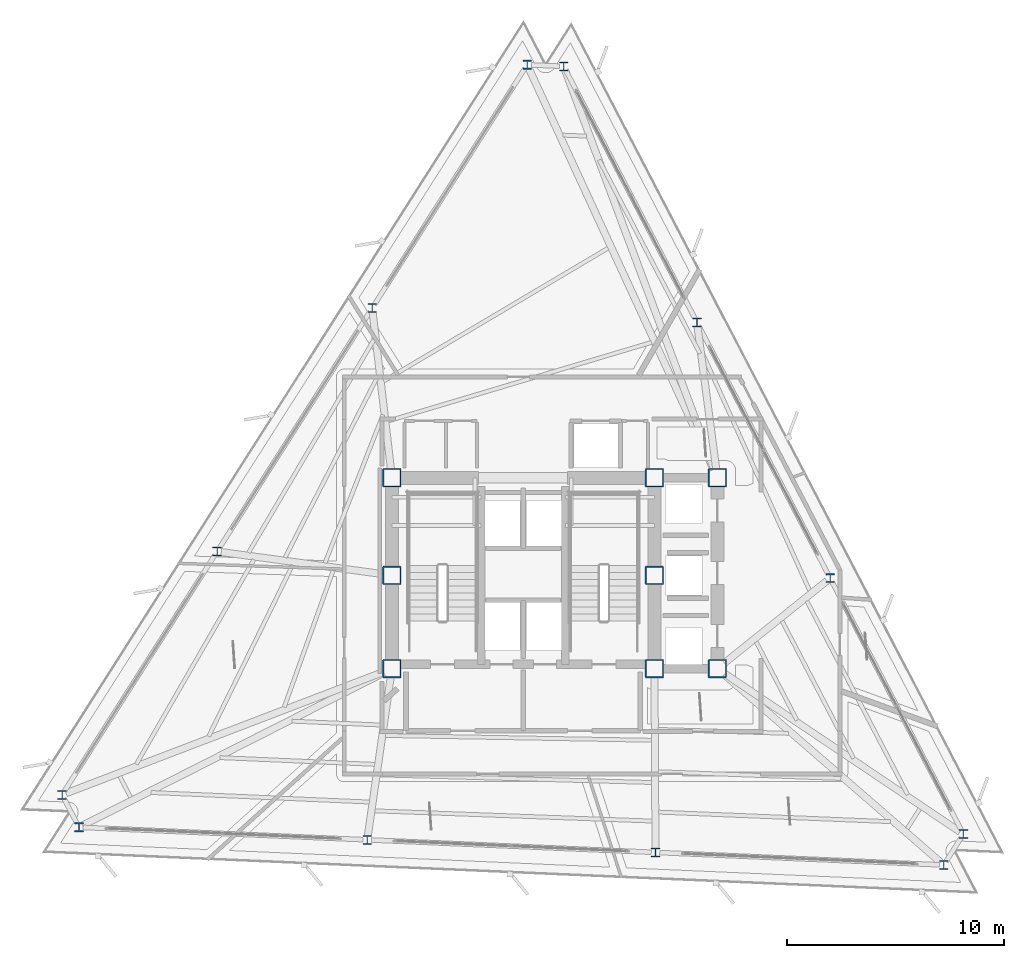
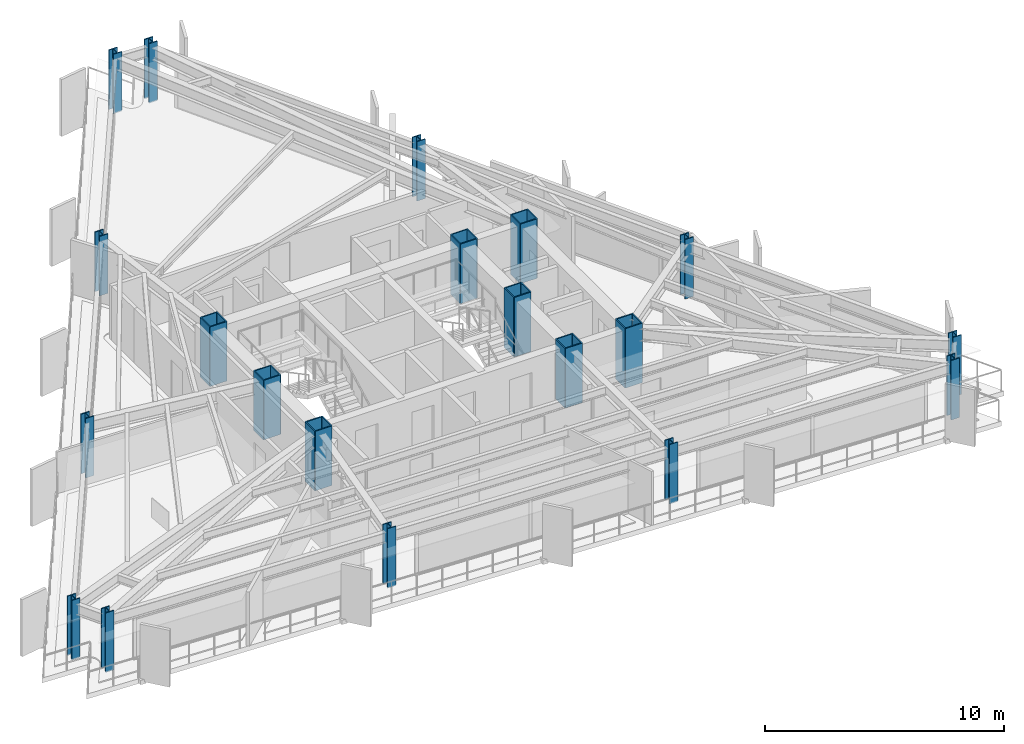
# One storey, part 1 of 12: 20 columns.
"""IFC4 building model written with IfcOpenShell, lengths in metres."""

from ifc_helpers import new_model, si_unit, direction, frame, origin, origin_2d, place, context, subcontext, project, spatial, hollow_rectangle, i_section, extrude, material, material_profile, profile_set, type_object, element, save


model = new_model("IFC4")

# Units and contexts
model_context = context("Model", 3, precision=1e-05, world=origin(), true_north=direction((0.0, 1.0)))
body_context = subcontext(model_context, "Body", "Model", "MODEL_VIEW")
ifc_project = project(units=[si_unit("LENGTHUNIT", "METRE"), si_unit("AREAUNIT", "SQUARE_METRE"), si_unit("VOLUMEUNIT", "CUBIC_METRE"), si_unit("PLANEANGLEUNIT", "RADIAN"), si_unit("MASSUNIT", "GRAM", prefix="KILO")], contexts=[model_context])

# Site, building, storey
site_placement = place(None, origin())
site = spatial("IfcSite", under=ifc_project, at=site_placement, CompositionType="ELEMENT")
building_placement = place(site_placement, origin())
building = spatial("IfcBuilding", under=site, at=building_placement, Name="Rocaltana Carrier Exchange", CompositionType="ELEMENT")
storey_placement = place(building_placement, frame((0.0, 0.0, 135.0400390625)))
storey = spatial("IfcBuildingStorey", under=building, at=storey_placement, Name="L42", CompositionType="ELEMENT", Elevation=135.0400390625)

# Columns
ifc_material_1 = material(Name="Steel S460", Category="steel")
ifc_material_profile_1 = material_profile(ifc_material_1, hollow_rectangle(XDim=0.85009765625, YDim=0.85009765625, WallThickness=0.054931640625, InnerFilletRadius=0.02001953125, OuterFilletRadius=0.0400390625, at=origin_2d()), Name="BOX850X850X55")
ifc_profile_set_1 = profile_set([ifc_material_profile_1], Name="Steel S460")
column_type_1 = type_object("IfcColumnType", Name="Core Mega-Column BOX850", PredefinedType="COLUMN", material=ifc_profile_set_1)
for number, where, z_axis, x_axis, name in (
    (1, (-6.050048828125, 4.5, 0.0), (0.0, 0.0, 1.0), (1.0, 0.0, 0.0), "L42 Core Mega-Column MC1"),
    (2, (6.050048828125, 4.5, 0.0), (0.0, 0.0, 1.0), (1.0, 0.0, 0.0), "L42 Core Mega-Column MC2"),
    (3, (-6.050048828125, 0.0, 0.0), (0.0, 0.0, 1.0), (1.0, 0.0, 0.0), "L42 Core Mega-Column MC3"),
    (4, (6.050048828125, 0.0, 0.0), (0.0, 0.0, 1.0), (1.0, 0.0, 0.0), "L42 Core Mega-Column MC4"),
    (5, (-6.050048828125, -4.300048828125, 0.0), (0.0, 0.0, 1.0), (1.0, 0.0, 0.0), "L42 Core Mega-Column MC5"),
    (6, (6.050048828125, -4.300048828125, 0.0), (0.0, 0.0, 1.0), (1.0, 0.0, 0.0), "L42 Core Mega-Column MC6"),
    (7, (8.949951171875, 4.5, 0.0), (0.0, 0.0, 1.0), (1.0, 0.0, 0.0), "L42 East Core Column EC1"),
    (8, (8.949951171875, -4.300048828125, 0.0), (0.0, 0.0, 1.0), (1.0, 0.0, 0.0), "L42 East Core Column EC2"),
):
    element("IfcColumn", number, at=place(storey_placement, frame(where, z_axis=z_axis, x_axis=x_axis)), inside=storey, type_object=column_type_1, Name=name, PredefinedType="COLUMN", context=body_context, shape_type="SweptSolid", body=[
        extrude(hollow_rectangle(XDim=0.85009765625, YDim=0.85009765625, WallThickness=0.054931640625, InnerFilletRadius=0.02001953125, OuterFilletRadius=0.0400390625, at=origin_2d()), origin(), (0.0, 0.0, 1.0), 3.0400390625),
    ])
ifc_material_2 = material(Name="Steel S355", Category="steel")
ifc_material_profile_2 = material_profile(ifc_material_2, i_section(OverallWidth=0.406005859375, OverallDepth=0.416015625, WebThickness=0.02978515625, FlangeThickness=0.048095703125, FilletRadius=0.02001953125, at=origin_2d()), Name="W14X257")
ifc_profile_set_2 = profile_set([ifc_material_profile_2], Name="Steel S355")
column_type_2 = type_object("IfcColumnType", Name="Perimeter Column W14X257", PredefinedType="COLUMN", material=ifc_profile_set_2)
for number, where, z_axis, x_axis, name in (
    (9, (20.29150390625, -11.92822265625, 0.0), (0.0, 0.0, 1.0), (1.0, 0.0, 0.0), "L42 Perimeter Column TC01"),
    (10, (14.150146484375, -0.130859375, 0.0), (0.0, 0.0, 1.0), (1.0, 0.0, 0.0), "L42 Perimeter Column TC02"),
    (11, (8.009033203125, 11.666259765625, 0.0), (0.0, 0.0, 1.0), (1.0, 0.0, 0.0), "L42 Perimeter Column TC03"),
    (12, (1.86767578125, 23.46337890625, 0.0), (0.0, 0.0, 1.0), (1.0, 0.0, 0.0), "L42 Perimeter Column TC04"),
    (13, (0.184326171875, 23.537109375, 0.0), (0.0, 0.0, 1.0), (1.0, 0.0, 0.0), "L42 Perimeter Column TC05"),
    (14, (-6.961669921875, 12.31982421875, 0.0), (0.0, 0.0, 1.0), (1.0, 0.0, 0.0), "L42 Perimeter Column TC06"),
    (15, (-14.10791015625, 1.102783203125, 0.0), (0.0, 0.0, 1.0), (1.0, 0.0, 0.0), "L42 Perimeter Column TC07"),
    (16, (-21.25390625, -10.1142578125, 0.0), (0.0, 0.0, 1.0), (1.0, 0.0, 0.0), "L42 Perimeter Column TC08"),
    (17, (-20.475830078125, -11.60888671875, 0.0), (0.0, 0.0, 1.0), (1.0, 0.0, 0.0), "L42 Perimeter Column TC09"),
    (18, (-7.1884765625, -12.18896484375, 0.0), (0.0, 0.0, 1.0), (1.0, 0.0, 0.0), "L42 Perimeter Column TC10"),
    (19, (6.098876953125, -12.76904296875, 0.0), (0.0, 0.0, 1.0), (1.0, 0.0, 0.0), "L42 Perimeter Column TC11"),
    (20, (19.38623046875, -13.349365234375, 0.0), (0.0, 0.0, 1.0), (1.0, 0.0, 0.0), "L42 Perimeter Column TC12"),
):
    element("IfcColumn", number, at=place(storey_placement, frame(where, z_axis=z_axis, x_axis=x_axis)), inside=storey, type_object=column_type_2, Name=name, PredefinedType="COLUMN", context=body_context, shape_type="SweptSolid", body=[
        extrude(i_section(OverallWidth=0.406005859375, OverallDepth=0.416015625, WebThickness=0.02978515625, FlangeThickness=0.048095703125, FilletRadius=0.02001953125, at=origin_2d()), origin(), (0.0, 0.0, 1.0), 3.0400390625),
    ])

save(model, "model.ifc")
